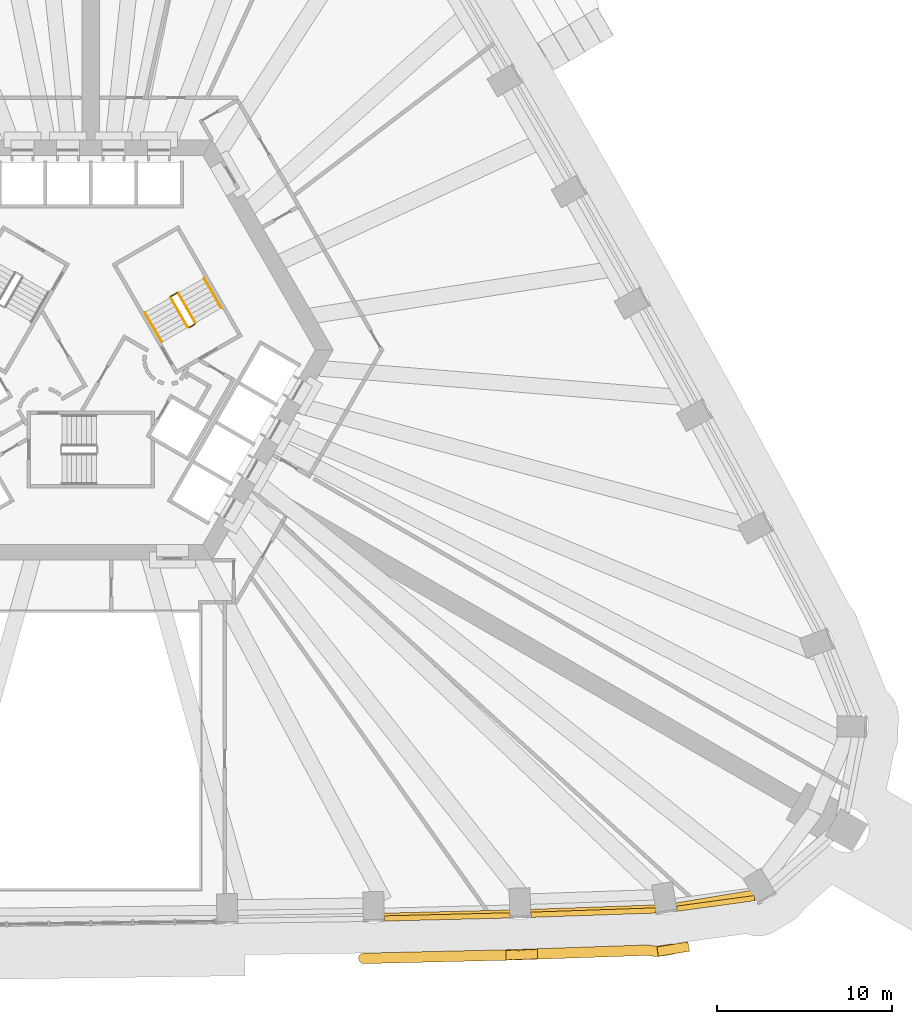
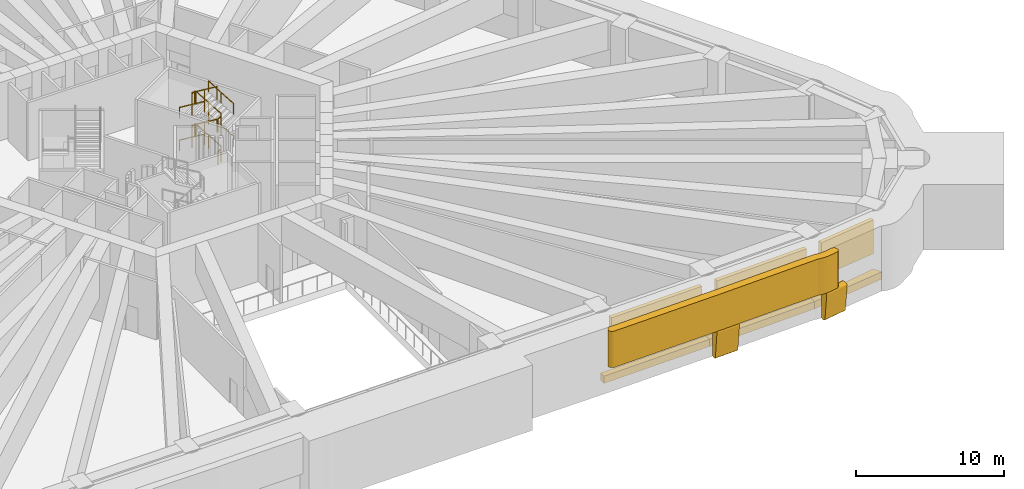
# One storey, part 19 of 21: 12 railings, 6 coverings, 3 shading devices.
"""IFC4 building model written with IfcOpenShell, lengths in metres."""

from ifc_helpers import new_model, si_unit, direction, frame, origin, origin_2d, place, context, subcontext, project, spatial, polyline, rectangle, circle, outline, extrude, material, layer, layer_set, type_object, element, save


model = new_model("IFC4")

# Units and contexts
model_context = context("Model", 3, precision=1e-05, world=origin(), true_north=direction((0.0, 1.0)))
body_context = subcontext(model_context, "Body", "Model", "MODEL_VIEW")
ifc_project = project(units=[si_unit("LENGTHUNIT", "METRE"), si_unit("AREAUNIT", "SQUARE_METRE"), si_unit("VOLUMEUNIT", "CUBIC_METRE"), si_unit("PLANEANGLEUNIT", "RADIAN"), si_unit("MASSUNIT", "GRAM", prefix="KILO")], contexts=[model_context])

# Site, building, storey
site_placement = place(None, origin())
site = spatial("IfcSite", under=ifc_project, at=site_placement, CompositionType="ELEMENT")
building_placement = place(site_placement, origin())
building = spatial("IfcBuilding", under=site, at=building_placement, Name="Entoto Arch Interchange Tower", CompositionType="ELEMENT")
storey_placement = place(building_placement, frame((0.0, 0.0, 81.199951171875)))
storey = spatial("IfcBuildingStorey", under=building, at=storey_placement, Name="L17", CompositionType="ELEMENT", Elevation=81.199951171875)

# Shading devices
ifc_material_1 = material(Name="Aluminium, anodised", Category="aluminium")
ifc_layer = layer(ifc_material_1, 0.300048828125)
ifc_layer_set = layer_set([ifc_layer], Name="Aluminium, anodised")
shading_device_type = type_object("IfcShadingDeviceType", Name="PLANT LOUVRE ALUMINIUM", PredefinedType="JALOUSIE", material=ifc_layer_set)
shading_device_1_placement = place(storey_placement, frame((20.35107421875, -29.889892578125, 1.2001953125), z_axis=(0.0, 0.0, 1.0), x_axis=(0.999698925768, 0.024536866514, 0.0)))
element("IfcShadingDevice", 1, at=shading_device_1_placement, inside=storey, type_object=shading_device_type, Name="Plant louvre S-06 L17", PredefinedType="JALOUSIE", context=body_context, shape_type="SweptSolid", body=[
    extrude(rectangle(XDim=7.173095703125, YDim=0.300048828125, at=origin_2d()), origin(), (0.0, 0.0, 1.0), 2.800048828125),
])
shading_device_2_placement = place(storey_placement, frame((28.7080078125, -29.64208984375, 1.2001953125), z_axis=(0.0, 0.0, 1.0), x_axis=(0.999403551225, 0.034533198497, 0.0)))
element("IfcShadingDevice", 2, at=shading_device_2_placement, inside=storey, type_object=shading_device_type, Name="Plant louvre S-07 L17", PredefinedType="JALOUSIE", context=body_context, shape_type="SweptSolid", body=[
    extrude(rectangle(XDim=7.152099609375, YDim=0.300048828125, at=origin_2d()), origin(), (0.0, 0.0, 1.0), 2.800048828125),
])
shading_device_3_placement = place(storey_placement, frame((35.695068359375, -29.116943359375, 1.2001953125), z_axis=(0.0, 0.0, 1.0), x_axis=(0.990896468587, 0.134626106464, 0.0)))
element("IfcShadingDevice", 3, at=shading_device_3_placement, inside=storey, type_object=shading_device_type, Name="Plant louvre SE-01 L17", PredefinedType="JALOUSIE", context=body_context, shape_type="SweptSolid", body=[
    extrude(rectangle(XDim=4.471923828125, YDim=0.300048828125, at=origin_2d()), origin(), (0.0, 0.0, 1.0), 2.800048828125),
])

# Coverings
ifc_material_2 = material(Name="Board-marked precast concrete C50/60", Category="concrete")
covering_type_1 = type_object("IfcCoveringType", Name="PRECAST FRAME COURSE", PredefinedType="CLADDING", material=ifc_material_2)
covering_1_placement = place(storey_placement, frame((0.0, 0.0, 1.800048828125)))
element("IfcCovering", 4, at=covering_1_placement, inside=storey, type_object=covering_type_1, Name="Cantilever cornice L17 1", PredefinedType="CLADDING", context=body_context, shape_type="SweptSolid", body=[
    extrude(outline(polyline([(33.30810546875, -31.431884765625), (33.3359375, -31.44091796875), (33.363037109375, -31.452880859375), (33.388916015625, -31.467041015625), (33.4130859375, -31.48291015625), (33.43505859375, -31.501953125), (33.4560546875, -31.52294921875), (33.47412109375, -31.5458984375), (33.490966796875, -31.570068359375), (33.50390625, -31.595947265625), (33.514892578125, -31.623046875), (33.52392578125, -31.65087890625), (33.529052734375, -31.679931640625), (33.531982421875, -31.708984375), (33.531982421875, -31.738037109375), (33.529052734375, -31.76708984375), (33.52294921875, -31.7958984375), (33.514892578125, -31.823974609375), (33.5029296875, -31.85107421875), (33.489990234375, -31.876953125), (33.472900390625, -31.90087890625), (33.455078125, -31.924072265625), (33.43408203125, -31.945068359375), (33.410888671875, -31.962890625), (33.386962890625, -31.97998046875), (33.361083984375, -31.993896484375), (33.333984375, -32.0048828125), (33.305908203125, -32.012939453125), (33.278076171875, -32.01904296875), (33.27490234375, -32.02001953125), (33.27294921875, -32.02001953125), (33.27001953125, -32.02001953125), (32.72705078125, -32.112060546875), (32.7119140625, -32.114013671875), (32.5, -32.139892578125), (32.470947265625, -32.14208984375), (32.264892578125, -32.14599609375), (32.235107421875, -32.14501953125), (32.035888671875, -32.12890625), (32.030029296875, -32.12890625), (32.0009765625, -32.125), (31.7958984375, -32.089111328125), (31.7890625, -32.0869140625), (31.781005859375, -32.087890625), (25.236083984375, -32.31396484375), (25.23291015625, -32.31396484375), (25.22900390625, -32.31494140625), (25.22802734375, -32.31494140625), (25.212890625, -32.31591796875), (24.02197265625, -32.35595703125), (24.02001953125, -32.35595703125), (23.998046875, -32.35595703125), (23.9970703125, -32.35693359375), (19.68701171875, -32.458984375), (16.85693359375, -32.527099609375), (16.85400390625, -32.527099609375), (16.85009765625, -32.527099609375), (16.830078125, -32.529052734375), (16.81591796875, -32.529052734375), (16.3349609375, -32.5400390625), (15.6240234375, -32.555908203125), (15.623046875, -32.555908203125), (15.617919921875, -32.555908203125), (15.60400390625, -32.555908203125), (15.574951171875, -32.554931640625), (15.547119140625, -32.551025390625), (15.51806640625, -32.544921875), (15.490966796875, -32.535888671875), (15.464111328125, -32.52392578125), (15.43896484375, -32.510009765625), (15.4150390625, -32.492919921875), (15.39306640625, -32.47412109375), (15.373046875, -32.452880859375), (15.35498046875, -32.430908203125), (15.339111328125, -32.406005859375), (15.325927734375, -32.3798828125), (15.31494140625, -32.35302734375), (15.306884765625, -32.325927734375), (15.302001953125, -32.297119140625), (15.299072265625, -32.26806640625), (15.299072265625, -32.239013671875), (15.302001953125, -32.2099609375), (15.30810546875, -32.181884765625), (15.31689453125, -32.154052734375), (15.327880859375, -32.126953125), (15.342041015625, -32.10205078125), (15.35791015625, -32.077880859375), (15.3759765625, -32.054931640625), (15.39697265625, -32.034912109375), (15.4189453125, -32.01611328125), (15.443115234375, -32.0), (15.468017578125, -31.986083984375), (15.4951171875, -31.97509765625), (15.52294921875, -31.966064453125), (15.551025390625, -31.9599609375), (15.580078125, -31.95703125), (15.5869140625, -31.9560546875), (15.594970703125, -31.9560546875), (15.610107421875, -31.9560546875), (16.81005859375, -31.928955078125), (16.841064453125, -31.927001953125), (23.98291015625, -31.757080078125), (24.0009765625, -31.756103515625), (25.199951171875, -31.716064453125), (25.212890625, -31.715087890625), (31.85693359375, -31.485107421875), (31.9169921875, -31.501953125), (32.091064453125, -31.532958984375), (32.26708984375, -31.5458984375), (32.444091796875, -31.54296875), (32.618896484375, -31.52197265625), (33.181884765625, -31.427001953125), (33.19189453125, -31.425048828125), (33.220947265625, -31.423095703125), (33.25, -31.423095703125), (33.280029296875, -31.426025390625), (33.30810546875, -31.431884765625)])), origin(), (0.0, 0.0, 1.0), 3.0),
])
covering_2_placement = place(storey_placement, frame((23.715087890625, -32.16796875, -0.462890625), z_axis=(-0.999420936448, -0.033887047502, 0.00307567903), x_axis=(-0.008644984662, 0.165455772191, -0.98617932025)))
element("IfcCovering", 5, at=covering_2_placement, inside=storey, type_object=covering_type_1, Name="Fold rib S07 L17", PredefinedType="CLADDING", context=body_context, shape_type="SweptSolid", body=[
    extrude(outline(polyline([(0.0, 0.0), (0.02945909534999437, 8.673617379884035e-19), (0.058973429216204465, -0.006209746619468054), (0.08539615320005849, -0.019090716755935256), (0.10942496662400056, -0.0353847733816501), (0.1383669921376543, -0.06915413412826282), (0.15205034074762, -0.09608465013366171), (0.15975492294301993, -0.12426686480695276), (0.17185819826064777, -0.19631269919046174), (0.17378438600145732, -0.22546553641720718), (0.17049290069197023, -0.25450513434604954), (0.16105947064720005, -0.28234965325595135), (0.13690900623760818, -0.31984979054432416), (0.11597993093977749, -0.33969497750182637), (0.09107260799076065, -0.35501261467352796), (0.0633993119364317, -0.3656326275202543), (-2.037108279473964, -0.7182209216281494), (-2.0665673748239586, -0.7182209216281494), (-2.0950394544146587, -0.7108464279445361), (-2.1340404724027158, -0.6908902394117706), (-2.1653465669604417, -0.6607344255464558), (-2.1816363514682746, -0.6359736553740913), (-2.191469547700472, -0.6083880230431907), (-2.2373464627055153, -0.3411573531048905), (-2.2384876769620665, -0.29751398390527933), (-2.2265498456840263, -0.2551123644162021), (-2.2031987585223773, -0.2187445662087793), (-2.1694766697526298, -0.18957533634715615), (-2.1298910365993637, -0.17175856169262974), (-2.101231388394185, -0.16697803002454692), (0.0, 0.0)])), origin(), (0.0, 0.0, -1.0), 1.800048828125),
])
covering_3_placement = place(storey_placement, frame((32.39111328125, -31.968017578125, -0.462890625), z_axis=(-0.985982648004, -0.166819358743, 0.003085349936), x_axis=(-0.037906596778, 0.205961181571, -0.977825690809)))
element("IfcCovering", 6, at=covering_3_placement, inside=storey, type_object=covering_type_1, Name="Fold rib S08 L17", PredefinedType="CLADDING", context=body_context, shape_type="SweptSolid", body=[
    extrude(outline(polyline([(0.0, 0.0), (0.029711870051139087, 0.0), (0.05950226565367299, -0.0050316815378681785), (0.09891721190718854, -0.02236761145795058), (0.12242189137398704, -0.041182898479700934), (0.1415947533710002, -0.06425108485130665), (0.156308042142354, -0.08983090886226781), (0.16535084669044378, -0.11806418677728148), (0.1802356812492682, -0.18757041748708433), (0.18353978385004335, -0.21699096594316297), (0.18138732308549746, -0.24540607287913985), (0.17330829173793785, -0.2741435461748787), (0.15072635652030403, -0.31210327029389995), (0.13071059437775712, -0.33289090222026196), (0.10659897705516191, -0.3497116749519501), (0.07943428895421119, -0.36160374842942655), (-2.003277836681469, -0.8074272229974668), (-2.0329301687007852, -0.8077023013449793), (-2.0615361839670716, -0.8023753382350471), (-2.1014412746538547, -0.7839134847578914), (-2.1339671028725014, -0.7556188598588861), (-2.1514312830335305, -0.731200056759017), (-2.1626133758190482, -0.7034665503627058), (-2.2200390960089362, -0.4399716213126068), (-2.2229788093072105, -0.3970924393562561), (-2.2130746883366905, -0.3535571691798757), (-2.191484679181153, -0.31564325845242963), (-2.158879839761344, -0.28600529208114445), (-2.1201555934541445, -0.26630145687196627), (-2.0917470833940115, -0.26021788095947185), (0.0, 0.0)])), origin(), (0.0, 0.0, -1.0), 1.800048828125),
])
covering_type_2 = type_object("IfcCoveringType", Name="PRECAST LEDGE COURSE", PredefinedType="CLADDING", material=ifc_material_2)
covering_4_placement = place(storey_placement, frame((0.0, 0.0, -1.199951171875)))
element("IfcCovering", 7, at=covering_4_placement, inside=storey, type_object=covering_type_2, Name="Precast course S-06 L17", PredefinedType="CLADDING", context=body_context, shape_type="SweptSolid", body=[
    extrude(outline(polyline([(24.5400390625, -29.47607421875), (24.5400390625, -29.93701171875), (16.169921875, -30.14306640625), (16.169921875, -29.68701171875), (24.5400390625, -29.47607421875)])), origin(), (0.0, 0.0, 1.0), 0.60009765625),
])
covering_5_placement = place(storey_placement, frame((0.0, 0.0, -1.199951171875)))
element("IfcCovering", 8, at=covering_5_placement, inside=storey, type_object=covering_type_2, Name="Precast course S-07 L17", PredefinedType="CLADDING", context=body_context, shape_type="SweptSolid", body=[
    extrude(outline(polyline([(32.910888671875, -29.177001953125), (32.910888671875, -29.64697265625), (24.5400390625, -29.93701171875), (24.5400390625, -29.47607421875), (32.910888671875, -29.177001953125)])), origin(), (0.0, 0.0, 1.0), 0.60009765625),
])
covering_6_placement = place(storey_placement, frame((0.0, 0.0, -1.199951171875)))
element("IfcCovering", 9, at=covering_6_placement, inside=storey, type_object=covering_type_2, Name="Precast course SE-01 L17", PredefinedType="CLADDING", context=body_context, shape_type="SweptSolid", body=[
    extrude(outline(polyline([(38.284912109375, -28.277099609375), (38.64404296875, -28.867919921875), (32.910888671875, -29.64697265625), (32.910888671875, -29.177001953125), (38.284912109375, -28.277099609375)])), origin(), (0.0, 0.0, 1.0), 0.60009765625),
])

# Railings
ifc_material_3 = material(Name="Stainless steel 1.4301", Category="steel")
railing_type_1 = type_object("IfcRailingType", Name="STAIR GUARD 1100 STEEL", PredefinedType="GUARDRAIL", material=ifc_material_3)
railing_1_placement = place(storey_placement, frame((5.977783203125, 4.046142578125, 0.168701171875)))
element("IfcRailing", 10, at=railing_1_placement, inside=storey, type_object=railing_type_1, Name="L17 ST-NE stair guard 1", PredefinedType="GUARDRAIL", context=body_context, shape_type="SweptSolid", body=[
    extrude(circle(Radius=0.02392578125, at=origin_2d()), frame((0.0, 0.0, 1.076171875), z_axis=(-0.428238462606, 0.741682559053, 0.516254589076), x_axis=(-0.866011328839, -0.500024377727, 0.0)), (0.0, 0.0, 1.0), 2.288330078125),
    extrude(circle(Radius=0.02099609375, at=origin_2d()), origin(), (0.0, 0.0, 1.0), 1.052001953125),
    extrude(circle(Radius=0.02099609375, at=origin_2d()), frame((-0.489990234375, 0.8486328125, 0.5908203125)), (0.0, 0.0, 1.0), 1.052001953125),
    extrude(circle(Radius=0.02099609375, at=origin_2d()), frame((-0.97998046875, 1.697265625, 1.181396484375)), (0.0, 0.0, 1.0), 1.052001953125),
])
railing_2_placement = place(storey_placement, frame((4.929443359375, 5.76171875, 1.35009765625)))
element("IfcRailing", 11, at=railing_2_placement, inside=storey, type_object=railing_type_1, Name="L17 ST-NE stair guard 2", PredefinedType="GUARDRAIL", context=body_context, shape_type="SweptSolid", body=[
    extrude(circle(Radius=0.02392578125, at=origin_2d()), frame((0.0, 0.0, 1.076171875), z_axis=(-0.865941482684, -0.500145327446, 0.0), x_axis=(0.500145327446, -0.865941482684, 0.0)), (0.0, 0.0, 1.0), 0.39990234375),
    extrude(circle(Radius=0.02099609375, at=origin_2d()), origin(), (0.0, 0.0, 1.0), 1.052001953125),
    extrude(circle(Radius=0.02099609375, at=origin_2d()), frame((-0.34619140625, -0.199951171875, 0.0)), (0.0, 0.0, 1.0), 1.052001953125),
])
railing_3_placement = place(storey_placement, frame((4.56494140625, 5.493408203125, 1.518798828125)))
element("IfcRailing", 12, at=railing_3_placement, inside=storey, type_object=railing_type_1, Name="L17 ST-NE stair guard 3", PredefinedType="GUARDRAIL", context=body_context, shape_type="SweptSolid", body=[
    extrude(circle(Radius=0.02392578125, at=origin_2d()), frame((0.0, 0.0, 1.076171875), z_axis=(0.428262048313, -0.74172340804, 0.516176330279), x_axis=(0.866011328839, 0.500024377727, 0.0)), (0.0, 0.0, 1.0), 2.288330078125),
    extrude(circle(Radius=0.02099609375, at=origin_2d()), origin(), (0.0, 0.0, 1.0), 1.052001953125),
    extrude(circle(Radius=0.02099609375, at=origin_2d()), frame((0.489990234375, -0.8486328125, 0.590576171875)), (0.0, 0.0, 1.0), 1.052001953125),
    extrude(circle(Radius=0.02099609375, at=origin_2d()), frame((0.97998046875, -1.697265625, 1.18115234375)), (0.0, 0.0, 1.0), 1.052001953125),
])
railing_4_placement = place(storey_placement, frame((5.95947265625, 3.977783203125, 2.699951171875)))
element("IfcRailing", 13, at=railing_4_placement, inside=storey, type_object=railing_type_1, Name="L17 ST-NE stair guard 4", PredefinedType="GUARDRAIL", context=body_context, shape_type="SweptSolid", body=[
    extrude(circle(Radius=0.02392578125, at=origin_2d()), frame((0.0, 0.0, 1.076171875), z_axis=(-0.866094119867, -0.499880961361, 0.0), x_axis=(0.499880961361, -0.866094119867, 0.0)), (0.0, 0.0, 1.0), 0.39990234375),
    extrude(circle(Radius=0.02099609375, at=origin_2d()), origin(), (0.0, 0.0, 1.0), 1.052001953125),
    extrude(circle(Radius=0.02099609375, at=origin_2d()), frame((-0.346435546875, -0.199951171875, 0.0)), (0.0, 0.0, 1.0), 1.052001953125),
])
railing_5_placement = place(storey_placement, frame((5.977783203125, 4.046142578125, 2.868896484375)))
element("IfcRailing", 14, at=railing_5_placement, inside=storey, type_object=railing_type_1, Name="L17 ST-NE stair guard 5", PredefinedType="GUARDRAIL", context=body_context, shape_type="SweptSolid", body=[
    extrude(circle(Radius=0.02392578125, at=origin_2d()), frame((0.0, 0.0, 1.076171875), z_axis=(-0.428262048313, 0.74172340804, 0.516176330279), x_axis=(-0.866011328839, -0.500024377727, 0.0)), (0.0, 0.0, 1.0), 2.288330078125),
    extrude(circle(Radius=0.02099609375, at=origin_2d()), origin(), (0.0, 0.0, 1.0), 1.052001953125),
    extrude(circle(Radius=0.02099609375, at=origin_2d()), frame((-0.489990234375, 0.8486328125, 0.590576171875)), (0.0, 0.0, 1.0), 1.052001953125),
    extrude(circle(Radius=0.02099609375, at=origin_2d()), frame((-0.97998046875, 1.697265625, 1.18115234375)), (0.0, 0.0, 1.0), 1.052001953125),
])
railing_6_placement = place(storey_placement, frame((4.929443359375, 5.76171875, 4.050048828125)))
element("IfcRailing", 15, at=railing_6_placement, inside=storey, type_object=railing_type_1, Name="L17 ST-NE stair guard 6", PredefinedType="GUARDRAIL", context=body_context, shape_type="SweptSolid", body=[
    extrude(circle(Radius=0.02392578125, at=origin_2d()), frame((0.0, 0.0, 1.076171875), z_axis=(-0.865941482684, -0.500145327446, 0.0), x_axis=(0.500145327446, -0.865941482684, 0.0)), (0.0, 0.0, 1.0), 0.39990234375),
    extrude(circle(Radius=0.02099609375, at=origin_2d()), origin(), (0.0, 0.0, 1.0), 1.052001953125),
    extrude(circle(Radius=0.02099609375, at=origin_2d()), frame((-0.34619140625, -0.199951171875, 0.0)), (0.0, 0.0, 1.0), 1.052001953125),
])
railing_7_placement = place(storey_placement, frame((4.56494140625, 5.493408203125, 4.21875)))
element("IfcRailing", 16, at=railing_7_placement, inside=storey, type_object=railing_type_1, Name="L17 ST-NE stair guard 7", PredefinedType="GUARDRAIL", context=body_context, shape_type="SweptSolid", body=[
    extrude(circle(Radius=0.02392578125, at=origin_2d()), frame((0.0, 0.0, 1.076171875), z_axis=(0.428238462606, -0.741682559053, 0.516254589076), x_axis=(0.866011328839, 0.500024377727, 0.0)), (0.0, 0.0, 1.0), 2.288330078125),
    extrude(circle(Radius=0.02099609375, at=origin_2d()), origin(), (0.0, 0.0, 1.0), 1.052001953125),
    extrude(circle(Radius=0.02099609375, at=origin_2d()), frame((0.489990234375, -0.8486328125, 0.5908203125)), (0.0, 0.0, 1.0), 1.052001953125),
    extrude(circle(Radius=0.02099609375, at=origin_2d()), frame((0.97998046875, -1.697265625, 1.181396484375)), (0.0, 0.0, 1.0), 1.052001953125),
])
railing_8_placement = place(storey_placement, frame((5.95947265625, 3.977783203125, 0.0)))
element("IfcRailing", 17, at=railing_8_placement, inside=storey, type_object=railing_type_1, Name="L17 ST-NE stair guard 8", PredefinedType="GUARDRAIL", context=body_context, shape_type="SweptSolid", body=[
    extrude(circle(Radius=0.02392578125, at=origin_2d()), frame((0.0, 0.0, 1.076171875), z_axis=(-0.866094119867, -0.499880961361, 0.0), x_axis=(0.499880961361, -0.866094119867, 0.0)), (0.0, 0.0, 1.0), 0.39990234375),
    extrude(circle(Radius=0.02099609375, at=origin_2d()), origin(), (0.0, 0.0, 1.0), 1.052001953125),
    extrude(circle(Radius=0.02099609375, at=origin_2d()), frame((-0.346435546875, -0.199951171875, 0.0)), (0.0, 0.0, 1.0), 1.052001953125),
])
railing_type_2 = type_object("IfcRailingType", Name="STAIR HANDRAIL 900 STEEL", PredefinedType="HANDRAIL", material=ifc_material_3)
railing_9_placement = place(storey_placement, frame((7.4501953125, 4.89599609375, 0.168701171875)))
element("IfcRailing", 18, at=railing_9_placement, inside=storey, type_object=railing_type_2, Name="L17 ST-NE stair handrail 1", PredefinedType="HANDRAIL", context=body_context, shape_type="SweptSolid", body=[
    extrude(circle(Radius=0.02392578125, at=origin_2d()), frame((0.0, 0.0, 0.8759765625), z_axis=(-0.428204578836, 0.741730552229, 0.516213741153), x_axis=(-0.866042469362, -0.499970440388, 0.0)), (0.0, 0.0, 1.0), 2.28857421875),
    extrude(circle(Radius=0.02099609375, at=origin_2d()), origin(), (0.0, 0.0, 1.0), 0.851806640625),
    extrude(circle(Radius=0.02099609375, at=origin_2d()), frame((-0.489990234375, 0.8486328125, 0.5908203125)), (0.0, 0.0, 1.0), 0.851806640625),
    extrude(circle(Radius=0.02099609375, at=origin_2d()), frame((-0.97998046875, 1.697509765625, 1.181396484375)), (0.0, 0.0, 1.0), 0.851806640625),
])
railing_10_placement = place(storey_placement, frame((3.092529296875, 4.6435546875, 1.518798828125)))
element("IfcRailing", 19, at=railing_10_placement, inside=storey, type_object=railing_type_2, Name="L17 ST-NE stair handrail 2", PredefinedType="HANDRAIL", context=body_context, shape_type="SweptSolid", body=[
    extrude(circle(Radius=0.02392578125, at=origin_2d()), frame((0.0, 0.0, 0.8759765625), z_axis=(0.428228158944, -0.741771397394, 0.516135484049), x_axis=(0.866042469362, 0.499970440388, 0.0)), (0.0, 0.0, 1.0), 2.28857421875),
    extrude(circle(Radius=0.02099609375, at=origin_2d()), origin(), (0.0, 0.0, 1.0), 0.851806640625),
    extrude(circle(Radius=0.02099609375, at=origin_2d()), frame((0.489990234375, -0.8486328125, 0.590576171875)), (0.0, 0.0, 1.0), 0.851806640625),
    extrude(circle(Radius=0.02099609375, at=origin_2d()), frame((0.97998046875, -1.697509765625, 1.18115234375)), (0.0, 0.0, 1.0), 0.851806640625),
])
railing_11_placement = place(storey_placement, frame((7.4501953125, 4.89599609375, 2.868896484375)))
element("IfcRailing", 20, at=railing_11_placement, inside=storey, type_object=railing_type_2, Name="L17 ST-NE stair handrail 3", PredefinedType="HANDRAIL", context=body_context, shape_type="SweptSolid", body=[
    extrude(circle(Radius=0.02392578125, at=origin_2d()), frame((0.0, 0.0, 0.8759765625), z_axis=(-0.428228158944, 0.741771397394, 0.516135484049), x_axis=(-0.866042469362, -0.499970440388, 0.0)), (0.0, 0.0, 1.0), 2.28857421875),
    extrude(circle(Radius=0.02099609375, at=origin_2d()), origin(), (0.0, 0.0, 1.0), 0.851806640625),
    extrude(circle(Radius=0.02099609375, at=origin_2d()), frame((-0.489990234375, 0.8486328125, 0.590576171875)), (0.0, 0.0, 1.0), 0.851806640625),
    extrude(circle(Radius=0.02099609375, at=origin_2d()), frame((-0.97998046875, 1.697509765625, 1.18115234375)), (0.0, 0.0, 1.0), 0.851806640625),
])
railing_12_placement = place(storey_placement, frame((3.092529296875, 4.6435546875, 4.21875)))
element("IfcRailing", 21, at=railing_12_placement, inside=storey, type_object=railing_type_2, Name="L17 ST-NE stair handrail 4", PredefinedType="HANDRAIL", context=body_context, shape_type="SweptSolid", body=[
    extrude(circle(Radius=0.02392578125, at=origin_2d()), frame((0.0, 0.0, 0.8759765625), z_axis=(0.428204578836, -0.741730552229, 0.516213741153), x_axis=(0.866042469362, 0.499970440388, 0.0)), (0.0, 0.0, 1.0), 2.28857421875),
    extrude(circle(Radius=0.02099609375, at=origin_2d()), origin(), (0.0, 0.0, 1.0), 0.851806640625),
    extrude(circle(Radius=0.02099609375, at=origin_2d()), frame((0.489990234375, -0.8486328125, 0.5908203125)), (0.0, 0.0, 1.0), 0.851806640625),
    extrude(circle(Radius=0.02099609375, at=origin_2d()), frame((0.97998046875, -1.697509765625, 1.181396484375)), (0.0, 0.0, 1.0), 0.851806640625),
])

save(model, "model.ifc")
